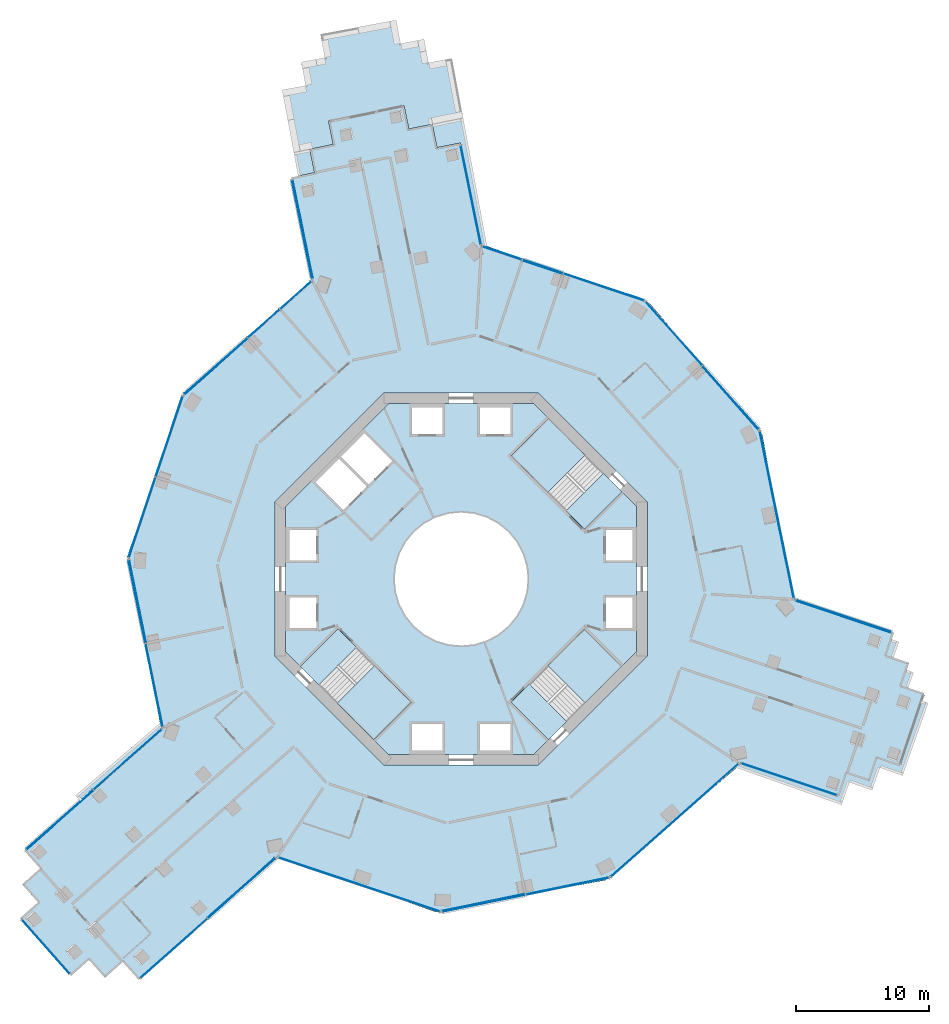
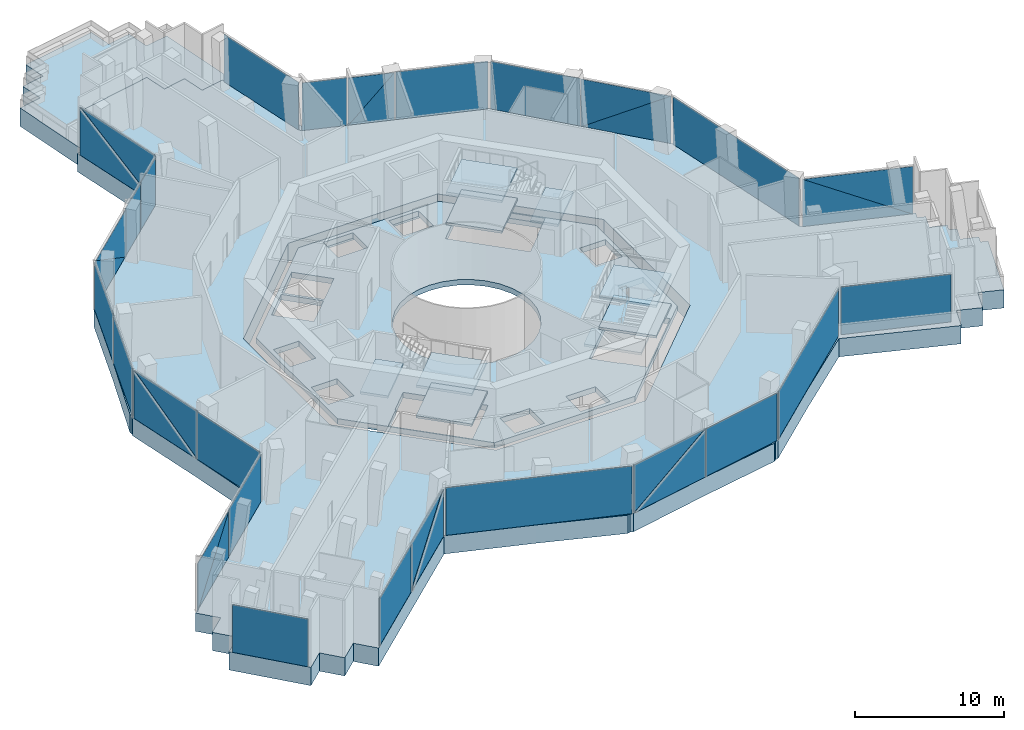
# One storey, part 8 of 20: 35 plates, 12 slabs, 19 elements without a shape of their own.
"""IFC4 building model written with IfcOpenShell, lengths in metres."""

from ifc_helpers import new_model, si_unit, direction, frame, origin, origin_2d, place, context, subcontext, project, spatial, polyline, rectangle, outline, extrude, material, layer, layer_set, type_object, element, aggregate, save


model = new_model("IFC4")

# Units and contexts
model_context = context("Model", 3, precision=1e-05, world=origin(), true_north=direction((0.0, 1.0)))
body_context = subcontext(model_context, "Body", "Model", "MODEL_VIEW")
ifc_project = project(units=[si_unit("LENGTHUNIT", "METRE"), si_unit("AREAUNIT", "SQUARE_METRE"), si_unit("VOLUMEUNIT", "CUBIC_METRE"), si_unit("PLANEANGLEUNIT", "RADIAN"), si_unit("MASSUNIT", "GRAM", prefix="KILO")], contexts=[model_context])

# Site, building, storey
site_placement = place(None, origin())
site = spatial("IfcSite", under=ifc_project, at=site_placement, CompositionType="ELEMENT")
building_placement = place(site_placement, origin())
building = spatial("IfcBuilding", under=site, at=building_placement, Name="Verdalira Terraces Hotel", CompositionType="ELEMENT")
storey_placement = place(building_placement, frame((0.0, 0.0, 81.0)))
storey = spatial("IfcBuildingStorey", under=building, at=storey_placement, Name="L18", CompositionType="ELEMENT", Elevation=81.0)

# Curtain wall, plate
ifc_material_1 = material(Name="Clear glass", Category="glass")
ifc_layer_1 = layer(ifc_material_1, 0.239990234375)
ifc_layer_set_1 = layer_set([ifc_layer_1], Name="CW5 curtain wall")
curtain_wall_type = type_object("IfcCurtainWallType", Name="CW5 curtain wall", PredefinedType="NOTDEFINED", material=ifc_layer_set_1)
curtain_wall_1_placement = place(storey_placement, origin())
curtain_wall_1 = element("IfcCurtainWall", 1, at=curtain_wall_1_placement, inside=storey, type_object=curtain_wall_type, Name="CW5 curtain wall L18 edge 0", PredefinedType="NOTDEFINED")
ifc_material_2 = material(Name="Clear glass", Category="glass")
ifc_layer_2 = layer(ifc_material_2, 0.0439453125)
ifc_layer_set_2 = layer_set([ifc_layer_2], Name="CW5 glass unit 44")
plate_type = type_object("IfcPlateType", Name="CW5 glass unit 44", PredefinedType="CURTAIN_PANEL", material=ifc_layer_set_2)
plate_1_placement = place(storey_placement, frame((0.716797, 28.880127, 0.0), z_axis=(0.0, 0.0, 1.0), x_axis=(-0.199709981, 0.979855052, 0.0)))
plate_1 = element("IfcPlate", 2, at=plate_1_placement, type_object=plate_type, Name="CW5 glass unit", PredefinedType="CURTAIN_PANEL", context=body_context, shape_type="SweptSolid", body=[
    extrude(rectangle(XDim=7.549805, YDim=0.043945, at=origin_2d()), origin(), (0.0, 0.0, 1.0), 3.915039),
])
aggregate(curtain_wall_1, [plate_1])

# Curtain wall, plates
curtain_wall_2_placement = place(storey_placement, origin())
curtain_wall_2 = element("IfcCurtainWall", 3, at=curtain_wall_2_placement, inside=storey, type_object=curtain_wall_type, Name="CW5 curtain wall L18 edge 10", PredefinedType="NOTDEFINED")
plate_2_placement = place(storey_placement, frame((-11.941162, 26.300293, 1.95752), z_axis=(-0.979855052, -0.199709981, 0.0), x_axis=(0.199709981, -0.979855052, 0.0)))
plate_2 = element("IfcPlate", 4, at=plate_2_placement, type_object=plate_type, Name="CW5 glass unit", PredefinedType="CURTAIN_PANEL", context=body_context, shape_type="SweptSolid", body=[
    extrude(outline(polyline([(-3.774902, -1.95752), (3.774902, -1.95752), (-3.774902, 1.95752), (-3.774902, -1.95752)])), origin(), (0.0, 0.0, 1.0), 0.043945),
])
plate_3_placement = place(storey_placement, frame((-11.897217, 26.309326, 1.95752), z_axis=(-0.979855052, -0.199709981, 0.0), x_axis=(0.199709981, -0.979855052, 0.0)))
plate_3 = element("IfcPlate", 5, at=plate_3_placement, type_object=plate_type, Name="CW5 glass unit", PredefinedType="CURTAIN_PANEL", context=body_context, shape_type="SweptSolid", body=[
    extrude(outline(polyline([(3.774902, -1.95752), (3.774902, 1.95752), (-3.774902, 1.95752), (3.774902, -1.95752)])), origin(), (0.0, 0.0, 1.0), 0.043945),
])
aggregate(curtain_wall_2, [plate_2, plate_3])

curtain_wall_3_placement = place(storey_placement, origin())
curtain_wall_3 = element("IfcCurtainWall", 6, at=curtain_wall_3_placement, inside=storey, type_object=curtain_wall_type, Name="CW5 curtain wall L18 edge 11", PredefinedType="NOTDEFINED")
plate_4_placement = place(storey_placement, frame((-12.443115, 21.343018, 0.0), z_axis=(0.0, 0.0, 1.0), x_axis=(-0.748724377, -0.662881443, 0.0)))
plate_4 = element("IfcPlate", 7, at=plate_4_placement, type_object=plate_type, Name="CW5 glass unit", PredefinedType="CURTAIN_PANEL", context=body_context, shape_type="SweptSolid", body=[
    extrude(rectangle(XDim=3.093018, YDim=0.043945, at=origin_2d()), origin(), (0.0, 0.0, 1.0), 3.915039),
])
plate_5_placement = place(storey_placement, frame((-14.84375, 19.217529, 0.0), z_axis=(0.0, 0.0, 1.0), x_axis=(-0.748724377, -0.662881443, 0.0)))
plate_5 = element("IfcPlate", 8, at=plate_5_placement, type_object=plate_type, Name="CW5 glass unit", PredefinedType="CURTAIN_PANEL", context=body_context, shape_type="SweptSolid", body=[
    extrude(rectangle(XDim=3.179932, YDim=0.043945, at=origin_2d()), origin(), (0.0, 0.0, 1.0), 3.915039),
])
plate_6_placement = place(storey_placement, frame((-18.451172, 15.994629, 1.95752), z_axis=(-0.662881443, 0.748724377, 0.0), x_axis=(-0.748724377, -0.662881443, 0.0)))
plate_6 = element("IfcPlate", 9, at=plate_6_placement, type_object=plate_type, Name="CW5 glass unit", PredefinedType="CURTAIN_PANEL", context=body_context, shape_type="SweptSolid", body=[
    extrude(outline(polyline([(-3.177246, -1.95752), (3.177246, -1.95752), (3.177246, 1.95752), (-3.177246, -1.95752)])), origin(), (0.0, 0.0, 1.0), 0.043945),
])
plate_7_placement = place(storey_placement, frame((-18.421387, 15.960938, 1.95752), z_axis=(-0.662881443, 0.748724377, 0.0), x_axis=(-0.748724377, -0.662881443, 0.0)))
plate_7 = element("IfcPlate", 10, at=plate_7_placement, type_object=plate_type, Name="CW5 glass unit", PredefinedType="CURTAIN_PANEL", context=body_context, shape_type="SweptSolid", body=[
    extrude(outline(polyline([(-3.177246, -1.95752), (3.177246, 1.95752), (-3.177246, 1.95752), (-3.177246, -1.95752)])), origin(), (0.0, 0.0, 1.0), 0.043945),
])
aggregate(curtain_wall_3, [plate_4, plate_5, plate_6, plate_7])

curtain_wall_4_placement = place(storey_placement, origin())
curtain_wall_4 = element("IfcCurtainWall", 11, at=curtain_wall_4_placement, inside=storey, type_object=curtain_wall_type, Name="CW5 curtain wall L18 edge 12", PredefinedType="NOTDEFINED")
plate_8_placement = place(storey_placement, frame((-21.960693, 10.726562, 0.0), z_axis=(0.0, 0.0, 1.0), x_axis=(-0.31697361, -0.948434358, 0.0)))
plate_8 = element("IfcPlate", 12, at=plate_8_placement, type_object=plate_type, Name="CW5 glass unit", PredefinedType="CURTAIN_PANEL", context=body_context, shape_type="SweptSolid", body=[
    extrude(rectangle(XDim=6.354736, YDim=0.043945, at=origin_2d()), origin(), (0.0, 0.0, 1.0), 3.915039),
])
plate_9_placement = place(storey_placement, frame((-23.997314, 4.633057, 0.0), z_axis=(0.0, 0.0, 1.0), x_axis=(-0.31697361, -0.948434358, 0.0)))
plate_9 = element("IfcPlate", 13, at=plate_9_placement, type_object=plate_type, Name="CW5 glass unit", PredefinedType="CURTAIN_PANEL", context=body_context, shape_type="SweptSolid", body=[
    extrude(rectangle(XDim=6.354736, YDim=0.043945, at=origin_2d()), origin(), (0.0, 0.0, 1.0), 3.915039),
])
aggregate(curtain_wall_4, [plate_8, plate_9])

curtain_wall_5_placement = place(storey_placement, origin())
curtain_wall_5 = element("IfcCurtainWall", 14, at=curtain_wall_5_placement, inside=storey, type_object=curtain_wall_type, Name="CW5 curtain wall L18 edge 13", PredefinedType="NOTDEFINED")
plate_10_placement = place(storey_placement, frame((-24.360352, -1.686523, 1.95752), z_axis=(-0.979855052, -0.199709981, 0.0), x_axis=(0.199709981, -0.979855052, 0.0)))
plate_10 = element("IfcPlate", 15, at=plate_10_placement, type_object=plate_type, Name="CW5 glass unit", PredefinedType="CURTAIN_PANEL", context=body_context, shape_type="SweptSolid", body=[
    extrude(outline(polyline([(-3.177246, -1.95752), (3.177246, -1.95752), (-3.177246, 1.95752), (-3.177246, -1.95752)])), origin(), (0.0, 0.0, 1.0), 0.043945),
])
plate_11_placement = place(storey_placement, frame((-24.316406, -1.67749, 1.95752), z_axis=(-0.979855052, -0.199709981, 0.0), x_axis=(0.199709981, -0.979855052, 0.0)))
plate_11 = element("IfcPlate", 16, at=plate_11_placement, type_object=plate_type, Name="CW5 glass unit", PredefinedType="CURTAIN_PANEL", context=body_context, shape_type="SweptSolid", body=[
    extrude(outline(polyline([(3.177246, -1.95752), (3.177246, 1.95752), (-3.177246, 1.95752), (3.177246, -1.95752)])), origin(), (0.0, 0.0, 1.0), 0.043945),
])
plate_12_placement = place(storey_placement, frame((-23.099854, -7.980469, 0.0), z_axis=(0.0, 0.0, 1.0), x_axis=(0.199709981, -0.979855052, 0.0)))
plate_12 = element("IfcPlate", 17, at=plate_12_placement, type_object=plate_type, Name="CW5 glass unit", PredefinedType="CURTAIN_PANEL", context=body_context, shape_type="SweptSolid", body=[
    extrude(rectangle(XDim=6.343018, YDim=0.043945, at=origin_2d()), origin(), (0.0, 0.0, 1.0), 3.915039),
])
aggregate(curtain_wall_5, [plate_10, plate_11, plate_12])

curtain_wall_6_placement = place(storey_placement, origin())
curtain_wall_6 = element("IfcCurtainWall", 18, at=curtain_wall_6_placement, inside=storey, type_object=curtain_wall_type, Name="CW5 curtain wall L18 edge 14", PredefinedType="NOTDEFINED")
plate_13_placement = place(storey_placement, frame((-25.084473, -13.567139, 0.0), z_axis=(0.0, 0.0, 1.0), x_axis=(-0.748724377, -0.662881443, 0.0)))
plate_13 = element("IfcPlate", 19, at=plate_13_placement, type_object=plate_type, Name="CW5 glass unit", PredefinedType="CURTAIN_PANEL", context=body_context, shape_type="SweptSolid", body=[
    extrude(rectangle(XDim=6.788818, YDim=0.043945, at=origin_2d()), origin(), (0.0, 0.0, 1.0), 3.915039),
])
plate_14_placement = place(storey_placement, frame((-30.168457, -18.097656, 1.95752), z_axis=(-0.662881443, 0.748724377, 0.0), x_axis=(-0.748724377, -0.662881443, 0.0)))
plate_14 = element("IfcPlate", 20, at=plate_14_placement, type_object=plate_type, Name="CW5 glass unit", PredefinedType="CURTAIN_PANEL", context=body_context, shape_type="SweptSolid", body=[
    extrude(outline(polyline([(-3.345459, -1.95752), (3.345459, -1.95752), (-3.345459, 1.95752), (-3.345459, -1.95752)])), origin(), (0.0, 0.0, 1.0), 0.043945),
])
plate_15_placement = place(storey_placement, frame((-30.138672, -18.131348, 1.95752), z_axis=(-0.662881443, 0.748724377, 0.0), x_axis=(-0.748724377, -0.662881443, 0.0)))
plate_15 = element("IfcPlate", 21, at=plate_15_placement, type_object=plate_type, Name="CW5 glass unit", PredefinedType="CURTAIN_PANEL", context=body_context, shape_type="SweptSolid", body=[
    extrude(outline(polyline([(3.345459, -1.95752), (3.345459, 1.95752), (-3.345459, 1.95752), (3.345459, -1.95752)])), origin(), (0.0, 0.0, 1.0), 0.043945),
])
aggregate(curtain_wall_6, [plate_13, plate_14, plate_15])

# Curtain wall, plate
curtain_wall_7_placement = place(storey_placement, origin())
curtain_wall_7 = element("IfcCurtainWall", 22, at=curtain_wall_7_placement, inside=storey, type_object=curtain_wall_type, Name="CW5 curtain wall L18 edge 19", PredefinedType="NOTDEFINED")
plate_16_placement = place(storey_placement, frame((-31.236816, -27.655518, 0.0), z_axis=(0.0, 0.0, 1.0), x_axis=(0.662881443, -0.748724377, 0.0)))
plate_16 = element("IfcPlate", 23, at=plate_16_placement, type_object=plate_type, Name="CW5 glass unit", PredefinedType="CURTAIN_PANEL", context=body_context, shape_type="SweptSolid", body=[
    extrude(rectangle(XDim=5.360107, YDim=0.043945, at=origin_2d()), origin(), (0.0, 0.0, 1.0), 3.915039),
])
aggregate(curtain_wall_7, [plate_16])

# Curtain wall, plates
curtain_wall_8_placement = place(storey_placement, origin())
curtain_wall_8 = element("IfcCurtainWall", 24, at=curtain_wall_8_placement, inside=storey, type_object=curtain_wall_type, Name="CW5 curtain wall L18 edge 24", PredefinedType="NOTDEFINED")
plate_17_placement = place(storey_placement, frame((-21.605469, -27.769775, 0.0), z_axis=(0.0, 0.0, 1.0), x_axis=(0.748724377, 0.662881443, 0.0)))
plate_17 = element("IfcPlate", 25, at=plate_17_placement, type_object=plate_type, Name="CW5 glass unit", PredefinedType="CURTAIN_PANEL", context=body_context, shape_type="SweptSolid", body=[
    extrude(rectangle(XDim=6.690918, YDim=0.043945, at=origin_2d()), origin(), (0.0, 0.0, 1.0), 3.915039),
])
plate_18_placement = place(storey_placement, frame((-16.521484, -23.239258, 1.95752), z_axis=(0.662881443, -0.748724377, 0.0), x_axis=(0.748724377, 0.662881443, 0.0)))
plate_18 = element("IfcPlate", 26, at=plate_18_placement, type_object=plate_type, Name="CW5 glass unit", PredefinedType="CURTAIN_PANEL", context=body_context, shape_type="SweptSolid", body=[
    extrude(outline(polyline([(-3.394531, -1.95752), (3.394531, -1.95752), (3.394531, 1.95752), (-3.394531, -1.95752)])), origin(), (0.0, 0.0, 1.0), 0.043945),
])
plate_19_placement = place(storey_placement, frame((-16.55127, -23.205566, 1.95752), z_axis=(0.662881443, -0.748724377, 0.0), x_axis=(0.748724377, 0.662881443, 0.0)))
plate_19 = element("IfcPlate", 27, at=plate_19_placement, type_object=plate_type, Name="CW5 glass unit", PredefinedType="CURTAIN_PANEL", context=body_context, shape_type="SweptSolid", body=[
    extrude(outline(polyline([(-3.394531, -1.95752), (3.394531, 1.95752), (-3.394531, 1.95752), (-3.394531, -1.95752)])), origin(), (0.0, 0.0, 1.0), 0.043945),
])
aggregate(curtain_wall_8, [plate_17, plate_18, plate_19])

# Curtain wall, plate
curtain_wall_9_placement = place(storey_placement, origin())
curtain_wall_9 = element("IfcCurtainWall", 28, at=curtain_wall_9_placement, inside=storey, type_object=curtain_wall_type, Name="CW5 curtain wall L18 edge 25", PredefinedType="NOTDEFINED")
plate_20_placement = place(storey_placement, frame((-7.674072, -22.980957, 0.0), z_axis=(0.0, 0.0, 1.0), x_axis=(0.948434358, -0.31697361, 0.0)))
plate_20 = element("IfcPlate", 29, at=plate_20_placement, type_object=plate_type, Name="CW5 glass unit", PredefinedType="CURTAIN_PANEL", context=body_context, shape_type="SweptSolid", body=[
    extrude(rectangle(XDim=12.767822, YDim=0.043945, at=origin_2d()), origin(), (0.0, 0.0, 1.0), 3.915039),
])
aggregate(curtain_wall_9, [plate_20])

# Curtain wall, plates
curtain_wall_10_placement = place(storey_placement, origin())
curtain_wall_10 = element("IfcCurtainWall", 30, at=curtain_wall_10_placement, inside=storey, type_object=curtain_wall_type, Name="CW5 curtain wall L18 edge 26", PredefinedType="NOTDEFINED")
plate_21_placement = place(storey_placement, frame((1.686523, -24.360352, 1.95752), z_axis=(0.199709981, -0.979855052, 0.0), x_axis=(0.979855052, 0.199709981, 0.0)))
plate_21 = element("IfcPlate", 31, at=plate_21_placement, type_object=plate_type, Name="CW5 glass unit", PredefinedType="CURTAIN_PANEL", context=body_context, shape_type="SweptSolid", body=[
    extrude(outline(polyline([(-3.177246, -1.95752), (3.177246, -1.95752), (3.177246, 1.95752), (-3.177246, -1.95752)])), origin(), (0.0, 0.0, 1.0), 0.043945),
])
plate_22_placement = place(storey_placement, frame((1.67749, -24.316406, 1.95752), z_axis=(0.199709981, -0.979855052, 0.0), x_axis=(0.979855052, 0.199709981, 0.0)))
plate_22 = element("IfcPlate", 32, at=plate_22_placement, type_object=plate_type, Name="CW5 glass unit", PredefinedType="CURTAIN_PANEL", context=body_context, shape_type="SweptSolid", body=[
    extrude(outline(polyline([(-3.177246, -1.95752), (3.177246, 1.95752), (-3.177246, 1.95752), (-3.177246, -1.95752)])), origin(), (0.0, 0.0, 1.0), 0.043945),
])
plate_23_placement = place(storey_placement, frame((7.986328, -23.098633, 0.0), z_axis=(0.0, 0.0, 1.0), x_axis=(0.979855052, 0.199709981, 0.0)))
plate_23 = element("IfcPlate", 33, at=plate_23_placement, type_object=plate_type, Name="CW5 glass unit", PredefinedType="CURTAIN_PANEL", context=body_context, shape_type="SweptSolid", body=[
    extrude(rectangle(XDim=6.354736, YDim=0.043945, at=origin_2d()), origin(), (0.0, 0.0, 1.0), 3.915039),
])
aggregate(curtain_wall_10, [plate_21, plate_22, plate_23])

# Curtain wall, plate
curtain_wall_11_placement = place(storey_placement, origin())
curtain_wall_11 = element("IfcCurtainWall", 34, at=curtain_wall_11_placement, inside=storey, type_object=curtain_wall_type, Name="CW5 curtain wall L18 edge 27", PredefinedType="NOTDEFINED")
plate_24_placement = place(storey_placement, frame((16.056152, -18.144287, 0.0), z_axis=(0.0, 0.0, 1.0), x_axis=(0.748724377, 0.662881443, 0.0)))
plate_24 = element("IfcPlate", 35, at=plate_24_placement, type_object=plate_type, Name="CW5 glass unit", PredefinedType="CURTAIN_PANEL", context=body_context, shape_type="SweptSolid", body=[
    extrude(rectangle(XDim=12.767822, YDim=0.043945, at=origin_2d()), origin(), (0.0, 0.0, 1.0), 3.915039),
])
aggregate(curtain_wall_11, [plate_24])

curtain_wall_12_placement = place(storey_placement, origin())
curtain_wall_12 = element("IfcCurtainWall", 36, at=curtain_wall_12_placement, inside=storey, type_object=curtain_wall_type, Name="CW5 curtain wall L18 edge 28", PredefinedType="NOTDEFINED")
plate_25_placement = place(storey_placement, frame((24.652588, -15.060791, 0.0), z_axis=(0.0, 0.0, 1.0), x_axis=(0.948434358, -0.31697361, 0.0)))
plate_25 = element("IfcPlate", 37, at=plate_25_placement, type_object=plate_type, Name="CW5 glass unit", PredefinedType="CURTAIN_PANEL", context=body_context, shape_type="SweptSolid", body=[
    extrude(rectangle(XDim=7.549805, YDim=0.043945, at=origin_2d()), origin(), (0.0, 0.0, 1.0), 3.915039),
])
aggregate(curtain_wall_12, [plate_25])

# Curtain wall, plates
curtain_wall_13_placement = place(storey_placement, origin())
curtain_wall_13 = element("IfcCurtainWall", 38, at=curtain_wall_13_placement, inside=storey, type_object=curtain_wall_type, Name="CW5 curtain wall L18 edge 38", PredefinedType="NOTDEFINED")
plate_26_placement = place(storey_placement, frame((28.74707, -2.808838, 1.95752), z_axis=(0.31697361, 0.948434358, 0.0), x_axis=(-0.948434358, 0.31697361, 0.0)))
plate_26 = element("IfcPlate", 39, at=plate_26_placement, type_object=plate_type, Name="CW5 glass unit", PredefinedType="CURTAIN_PANEL", context=body_context, shape_type="SweptSolid", body=[
    extrude(outline(polyline([(-3.774902, -1.95752), (3.774902, -1.95752), (3.774902, 1.95752), (-3.774902, -1.95752)])), origin(), (0.0, 0.0, 1.0), 0.043945),
])
plate_27_placement = place(storey_placement, frame((28.73291, -2.851562, 1.95752), z_axis=(0.31697361, 0.948434358, 0.0), x_axis=(-0.948434358, 0.31697361, 0.0)))
plate_27 = element("IfcPlate", 40, at=plate_27_placement, type_object=plate_type, Name="CW5 glass unit", PredefinedType="CURTAIN_PANEL", context=body_context, shape_type="SweptSolid", body=[
    extrude(outline(polyline([(-3.774902, -1.95752), (3.774902, 1.95752), (-3.774902, 1.95752), (-3.774902, -1.95752)])), origin(), (0.0, 0.0, 1.0), 0.043945),
])
aggregate(curtain_wall_13, [plate_26, plate_27])

# Curtain wall, plate
curtain_wall_14_placement = place(storey_placement, origin())
curtain_wall_14 = element("IfcCurtainWall", 41, at=curtain_wall_14_placement, inside=storey, type_object=curtain_wall_type, Name="CW5 curtain wall L18 edge 39", PredefinedType="NOTDEFINED")
plate_28_placement = place(storey_placement, frame((23.739014, 4.844482, 0.0), z_axis=(0.0, 0.0, 1.0), x_axis=(-0.199709981, 0.979855052, 0.0)))
plate_28 = element("IfcPlate", 42, at=plate_28_placement, type_object=plate_type, Name="CW5 glass unit", PredefinedType="CURTAIN_PANEL", context=body_context, shape_type="SweptSolid", body=[
    extrude(rectangle(XDim=12.767822, YDim=0.043945, at=origin_2d()), origin(), (0.0, 0.0, 1.0), 3.915039),
])
aggregate(curtain_wall_14, [plate_28])

# Curtain wall, plates
curtain_wall_15_placement = place(storey_placement, origin())
curtain_wall_15 = element("IfcCurtainWall", 43, at=curtain_wall_15_placement, inside=storey, type_object=curtain_wall_type, Name="CW5 curtain wall L18 edge 40", PredefinedType="NOTDEFINED")
plate_29_placement = place(storey_placement, frame((20.253418, 13.640625, 1.95752), z_axis=(0.748724377, 0.662881443, 0.0), x_axis=(-0.662881443, 0.748724377, 0.0)))
plate_29 = element("IfcPlate", 44, at=plate_29_placement, type_object=plate_type, Name="CW5 glass unit", PredefinedType="CURTAIN_PANEL", context=body_context, shape_type="SweptSolid", body=[
    extrude(outline(polyline([(-3.177246, -1.95752), (3.177246, -1.95752), (-3.177246, 1.95752), (-3.177246, -1.95752)])), origin(), (0.0, 0.0, 1.0), 0.043945),
])
plate_30_placement = place(storey_placement, frame((20.219727, 13.61084, 1.95752), z_axis=(0.748724377, 0.662881443, 0.0), x_axis=(-0.662881443, 0.748724377, 0.0)))
plate_30 = element("IfcPlate", 45, at=plate_30_placement, type_object=plate_type, Name="CW5 glass unit", PredefinedType="CURTAIN_PANEL", context=body_context, shape_type="SweptSolid", body=[
    extrude(outline(polyline([(3.177246, -1.95752), (3.177246, 1.95752), (-3.177246, 1.95752), (3.177246, -1.95752)])), origin(), (0.0, 0.0, 1.0), 0.043945),
])
plate_31_placement = place(storey_placement, frame((16.010986, 18.46582, 0.0), z_axis=(0.0, 0.0, 1.0), x_axis=(-0.662881443, 0.748724377, 0.0)))
plate_31 = element("IfcPlate", 46, at=plate_31_placement, type_object=plate_type, Name="CW5 glass unit", PredefinedType="CURTAIN_PANEL", context=body_context, shape_type="SweptSolid", body=[
    extrude(rectangle(XDim=6.354736, YDim=0.043945, at=origin_2d()), origin(), (0.0, 0.0, 1.0), 3.915039),
])
aggregate(curtain_wall_15, [plate_29, plate_30, plate_31])

curtain_wall_16_placement = place(storey_placement, origin())
curtain_wall_16 = element("IfcCurtainWall", 47, at=curtain_wall_16_placement, inside=storey, type_object=curtain_wall_type, Name="CW5 curtain wall L18 edge 41", PredefinedType="NOTDEFINED")
plate_32_placement = place(storey_placement, frame((10.726562, 21.960693, 0.0), z_axis=(0.0, 0.0, 1.0), x_axis=(-0.948434358, 0.31697361, 0.0)))
plate_32 = element("IfcPlate", 48, at=plate_32_placement, type_object=plate_type, Name="CW5 glass unit", PredefinedType="CURTAIN_PANEL", context=body_context, shape_type="SweptSolid", body=[
    extrude(rectangle(XDim=6.354736, YDim=0.043945, at=origin_2d()), origin(), (0.0, 0.0, 1.0), 3.915039),
])
plate_33_placement = place(storey_placement, frame((6.131348, 23.473389, 1.95752), z_axis=(0.31697361, 0.948434358, 0.0), x_axis=(-0.948434358, 0.31697361, 0.0)))
plate_33 = element("IfcPlate", 49, at=plate_33_placement, type_object=plate_type, Name="CW5 glass unit", PredefinedType="CURTAIN_PANEL", context=body_context, shape_type="SweptSolid", body=[
    extrude(outline(polyline([(-1.589844, -1.95752), (1.589844, -1.95752), (-1.589844, 1.95752), (-1.589844, -1.95752)])), origin(), (0.0, 0.0, 1.0), 0.043945),
])
plate_34_placement = place(storey_placement, frame((6.117188, 23.430664, 1.95752), z_axis=(0.31697361, 0.948434358, 0.0), x_axis=(-0.948434358, 0.31697361, 0.0)))
plate_34 = element("IfcPlate", 50, at=plate_34_placement, type_object=plate_type, Name="CW5 glass unit", PredefinedType="CURTAIN_PANEL", context=body_context, shape_type="SweptSolid", body=[
    extrude(outline(polyline([(1.589844, -1.95752), (1.589844, 1.95752), (-1.589844, 1.95752), (1.589844, -1.95752)])), origin(), (0.0, 0.0, 1.0), 0.043945),
])
plate_35_placement = place(storey_placement, frame((3.097412, 24.510498, 0.0), z_axis=(0.0, 0.0, 1.0), x_axis=(-0.948434358, 0.31697361, 0.0)))
plate_35 = element("IfcPlate", 51, at=plate_35_placement, type_object=plate_type, Name="CW5 glass unit", PredefinedType="CURTAIN_PANEL", context=body_context, shape_type="SweptSolid", body=[
    extrude(rectangle(XDim=3.093018, YDim=0.043945, at=origin_2d()), origin(), (0.0, 0.0, 1.0), 3.915039),
])
aggregate(curtain_wall_16, [plate_32, plate_33, plate_34, plate_35])

# Slab
ifc_material_3 = material(Name="Concrete C40", Category="concrete")
ifc_layer_3 = layer(ifc_material_3, 0.449951171875)
ifc_layer_set_3 = layer_set([ifc_layer_3], Name="Core floor slab 450 mm")
slab_type_1 = type_object("IfcSlabType", Name="Core floor slab 450 mm", PredefinedType="FLOOR", material=ifc_layer_set_3)
slab_1_placement = place(storey_placement, frame((0.0, 0.0, -0.449951)))
element("IfcSlab", 52, at=slab_1_placement, inside=storey, type_object=slab_type_1, Name="L18 core floor", PredefinedType="FLOOR", context=body_context, shape_type="SweptSolid", body=[
    extrude(outline(polyline([(-5.467529, 13.199951), (5.467529, 13.199951), (13.199951, 5.467529), (13.199951, -5.467529), (5.467529, -13.199951), (-5.467529, -13.199951), (-13.199951, -5.467529), (-13.199951, 5.467529), (-5.467529, 13.199951)]), holes=[polyline([(12.899902, -3.699951), (12.899902, -1.399902), (10.899902, -1.399902), (10.899902, -3.699951), (12.899902, -3.699951)]), polyline([(12.899902, 1.399902), (12.899902, 3.699951), (10.899902, 3.699951), (10.899902, 1.399902), (12.899902, 1.399902)]), polyline([(1.399902, 10.899902), (3.699951, 10.899902), (3.699951, 12.899902), (1.399902, 12.899902), (1.399902, 10.899902)]), polyline([(-3.699951, 10.899902), (-1.399902, 10.899902), (-1.399902, 12.899902), (-3.699951, 12.899902), (-3.699951, 10.899902)]), polyline([(-12.899902, 3.699951), (-12.899902, 1.399902), (-10.899902, 1.399902), (-10.899902, 3.699951), (-12.899902, 3.699951)]), polyline([(-12.899902, -1.399902), (-12.899902, -3.699951), (-10.899902, -3.699951), (-10.899902, -1.399902), (-12.899902, -1.399902)]), polyline([(-1.399902, -10.899902), (-3.699951, -10.899902), (-3.699951, -12.899902), (-1.399902, -12.899902), (-1.399902, -10.899902)]), polyline([(3.699951, -10.899902), (1.399902, -10.899902), (1.399902, -12.899902), (3.699951, -12.899902), (3.699951, -10.899902)]), polyline([(-9.051025, 9.192383), (-6.965088, 7.106445), (-5.197266, 8.874268), (-7.283203, 10.960205), (-9.051025, 9.192383)]), polyline([(-9.192383, 9.051025), (-10.960205, 7.283203), (-8.874268, 5.197266), (-7.106445, 6.965088), (-9.192383, 9.051025)]), polyline([(3.5354, 3.5354), (2.777832, 4.157227), (1.91333, 4.619385), (0.975586, 4.903809), (0.0, 5.0), (-0.975586, 4.903809), (-1.91333, 4.619385), (-2.777832, 4.157227), (-3.5354, 3.5354), (-4.157227, 2.777832), (-4.619385, 1.91333), (-4.903809, 0.975586), (-5.0, 0.0), (-4.903809, -0.975586), (-4.619385, -1.91333), (-4.157227, -2.777832), (-3.5354, -3.5354), (-2.777832, -4.157227), (-1.91333, -4.619385), (-0.975586, -4.903809), (0.0, -5.0), (0.975586, -4.903809), (1.91333, -4.619385), (2.777832, -4.157227), (3.5354, -3.5354), (4.157227, -2.777832), (4.619385, -1.91333), (4.903809, -0.975586), (5.0, 0.0), (4.903809, 0.975586), (4.619385, 1.91333), (4.157227, 2.777832), (3.5354, 3.5354)]), polyline([(6.505371, 12.049072), (5.105225, 10.648926), (3.648682, 9.192383), (7.834473, 5.006592), (9.298096, 6.470459), (9.262695, 6.505615), (10.655762, 7.898682), (6.505371, 12.049072)]), polyline([(-3.648682, -9.192383), (-7.834473, -5.006592), (-9.298096, -6.470459), (-9.262695, -6.505615), (-10.655762, -7.898682), (-6.505371, -12.049072), (-5.105225, -10.648926), (-3.648682, -9.192383)]), polyline([(10.648926, -5.105225), (9.192383, -3.648682), (5.006592, -7.834473), (6.470459, -9.298096), (6.505615, -9.262695), (7.898682, -10.655762), (12.049072, -6.505371), (10.648926, -5.105225)])]), origin(), (0.0, 0.0, 1.0), 0.449951),
])

# Stair, slabs
ifc_material_4 = material(Name="Concrete C40", Category="concrete")
stair_type = type_object("IfcStairType", Name="Core stair 32 risers 1950 mm wide", PredefinedType="HALF_TURN_STAIR", material=ifc_material_4)
stair_1_placement = place(storey_placement, origin())
stair_1 = element("IfcStair", 53, at=stair_1_placement, inside=storey, type_object=stair_type, Name="L18 Exit stair ST1", PredefinedType="HALF_TURN_STAIR")
ifc_material_5 = material(Name="Concrete C40", Category="concrete")
ifc_layer_4 = layer(ifc_material_5, 0.199951171875)
ifc_layer_set_4 = layer_set([ifc_layer_4], Name="Core stair landing 200 mm")
slab_type_2 = type_object("IfcSlabType", Name="Core stair landing 200 mm", PredefinedType="LANDING", material=ifc_layer_set_4)
slab_2_placement = place(storey_placement, frame((0.0, 0.0, 1.050049)))
slab_2 = element("IfcSlab", 54, at=slab_2_placement, type_object=slab_type_2, Name="ST1 landing 1", PredefinedType="LANDING", context=body_context, shape_type="SweptSolid", body=[
    extrude(outline(polyline([(9.327148, 9.340576), (6.576172, 12.091553), (3.747559, 9.263184), (6.498779, 6.512207), (9.327148, 9.340576)])), origin(), (0.0, 0.0, 1.0), 0.199951),
])
slab_3_placement = place(storey_placement, frame((0.0, 0.0, 2.300049)))
slab_3 = element("IfcSlab", 55, at=slab_3_placement, type_object=slab_type_2, Name="ST1 landing 2", PredefinedType="LANDING", context=body_context, shape_type="SweptSolid", body=[
    extrude(outline(polyline([(12.091553, 6.576172), (10.712402, 7.955322), (7.883789, 5.126953), (9.263184, 3.747559), (12.091553, 6.576172)])), origin(), (0.0, 0.0, 1.0), 0.199951),
])
slab_4_placement = place(storey_placement, frame((0.0, 0.0, 3.550049)))
slab_4 = element("IfcSlab", 56, at=slab_4_placement, type_object=slab_type_2, Name="ST1 landing 3", PredefinedType="LANDING", context=body_context, shape_type="SweptSolid", body=[
    extrude(outline(polyline([(9.327148, 9.340576), (6.576172, 12.091553), (3.747559, 9.263184), (6.498779, 6.512207), (9.327148, 9.340576)])), origin(), (0.0, 0.0, 1.0), 0.199951),
])
aggregate(stair_1, [slab_2, slab_3, slab_4])

stair_2_placement = place(storey_placement, origin())
stair_2 = element("IfcStair", 57, at=stair_2_placement, inside=storey, type_object=stair_type, Name="L18 Exit stair ST2", PredefinedType="HALF_TURN_STAIR")
slab_5_placement = place(storey_placement, frame((0.0, 0.0, 1.050049)))
slab_5 = element("IfcSlab", 58, at=slab_5_placement, type_object=slab_type_2, Name="ST2 landing 1", PredefinedType="LANDING", context=body_context, shape_type="SweptSolid", body=[
    extrude(outline(polyline([(-9.327148, -9.340576), (-6.576172, -12.091553), (-3.747559, -9.263184), (-6.498779, -6.512207), (-9.327148, -9.340576)])), origin(), (0.0, 0.0, 1.0), 0.199951),
])
slab_6_placement = place(storey_placement, frame((0.0, 0.0, 2.300049)))
slab_6 = element("IfcSlab", 59, at=slab_6_placement, type_object=slab_type_2, Name="ST2 landing 2", PredefinedType="LANDING", context=body_context, shape_type="SweptSolid", body=[
    extrude(outline(polyline([(-12.091553, -6.576172), (-10.712402, -7.955322), (-7.883789, -5.126953), (-9.263184, -3.747559), (-12.091553, -6.576172)])), origin(), (0.0, 0.0, 1.0), 0.199951),
])
slab_7_placement = place(storey_placement, frame((0.0, 0.0, 3.550049)))
slab_7 = element("IfcSlab", 60, at=slab_7_placement, type_object=slab_type_2, Name="ST2 landing 3", PredefinedType="LANDING", context=body_context, shape_type="SweptSolid", body=[
    extrude(outline(polyline([(-9.327148, -9.340576), (-6.576172, -12.091553), (-3.747559, -9.263184), (-6.498779, -6.512207), (-9.327148, -9.340576)])), origin(), (0.0, 0.0, 1.0), 0.199951),
])
aggregate(stair_2, [slab_5, slab_6, slab_7])

stair_3_placement = place(storey_placement, origin())
stair_3 = element("IfcStair", 61, at=stair_3_placement, inside=storey, type_object=stair_type, Name="L18 Exit stair ST3", PredefinedType="HALF_TURN_STAIR")
slab_8_placement = place(storey_placement, frame((0.0, 0.0, 1.050049)))
slab_8 = element("IfcSlab", 62, at=slab_8_placement, type_object=slab_type_2, Name="ST3 landing 1", PredefinedType="LANDING", context=body_context, shape_type="SweptSolid", body=[
    extrude(outline(polyline([(9.340576, -9.327148), (12.091553, -6.576172), (9.263184, -3.747559), (6.512207, -6.498779), (9.340576, -9.327148)])), origin(), (0.0, 0.0, 1.0), 0.199951),
])
slab_9_placement = place(storey_placement, frame((0.0, 0.0, 2.300049)))
slab_9 = element("IfcSlab", 63, at=slab_9_placement, type_object=slab_type_2, Name="ST3 landing 2", PredefinedType="LANDING", context=body_context, shape_type="SweptSolid", body=[
    extrude(outline(polyline([(6.576172, -12.091553), (7.955322, -10.712402), (5.126953, -7.883789), (3.747559, -9.263184), (6.576172, -12.091553)])), origin(), (0.0, 0.0, 1.0), 0.199951),
])
slab_10_placement = place(storey_placement, frame((0.0, 0.0, 3.550049)))
slab_10 = element("IfcSlab", 64, at=slab_10_placement, type_object=slab_type_2, Name="ST3 landing 3", PredefinedType="LANDING", context=body_context, shape_type="SweptSolid", body=[
    extrude(outline(polyline([(9.340576, -9.327148), (12.091553, -6.576172), (9.263184, -3.747559), (6.512207, -6.498779), (9.340576, -9.327148)])), origin(), (0.0, 0.0, 1.0), 0.199951),
])
aggregate(stair_3, [slab_8, slab_9, slab_10])

# Slabs
ifc_material_6 = material(Name="Concrete C60", Category="concrete")
ifc_layer_5 = layer(ifc_material_6, 1.5)
ifc_layer_set_5 = layer_set([ifc_layer_5], Name="Sky garden floor deck 1500 C60")
slab_type_3 = type_object("IfcSlabType", Name="Sky garden floor deck 1500 C60", PredefinedType="FLOOR", material=ifc_layer_set_5)
slab_11_placement = place(storey_placement, frame((0.0, 0.0, -1.5)))
element("IfcSlab", 65, at=slab_11_placement, inside=storey, type_object=slab_type_3, Name="Sky garden deck L18", PredefinedType="FLOOR", context=body_context, shape_type="SweptSolid", body=[
    extrude(outline(polyline([(-13.468994, 36.782715), (-12.262695, 30.311523), (-11.025879, 30.563721), (-11.385498, 32.327393), (-9.621582, 32.687012), (-9.981201, 34.450684), (-4.298096, 35.608887), (-3.938721, 33.845215), (-2.174805, 34.20459), (-1.81543, 32.440918), (-0.051514, 32.800537), (1.524414, 25.067871), (7.88208, 22.943115), (1.944092, 25.038818), (-0.689209, 39.165283), (-2.45874, 38.835449), (-2.788818, 40.60498), (-4.558105, 40.274902), (-4.888184, 42.044434), (-10.589844, 40.981689), (-10.26001, 39.212158), (-12.029541, 38.88208), (-11.699707, 37.112793), (-13.468994, 36.782715)])), origin(), (0.0, 0.0, 1.0), 1.5),
])
ifc_material_7 = material(Name="Concrete C60", Category="concrete")
ifc_layer_6 = layer(ifc_material_7, 1.5)
ifc_layer_set_6 = layer_set([ifc_layer_6], Name="Transfer slab 1500 C60")
slab_type_4 = type_object("IfcSlabType", Name="Transfer slab 1500 C60", PredefinedType="FLOOR", material=ifc_layer_set_6)
slab_12_placement = place(storey_placement, frame((0.0, 0.0, -1.5)))
element("IfcSlab", 66, at=slab_12_placement, inside=storey, type_object=slab_type_4, Name="Transfer slab TS-18", PredefinedType="FLOOR", context=body_context, shape_type="SweptSolid", body=[
    extrude(outline(polyline([(-12.263184, 30.311523), (-12.789795, 30.204102), (-11.213623, 22.471436), (-15.928223, 18.297607), (-20.711914, 14.203125), (-20.784424, 13.998047), (-20.947021, 13.854004), (-22.943115, 7.88208), (-25.038818, 1.944092), (-24.998779, 1.730713), (-25.067871, 1.524414), (-23.810303, -4.645508), (-22.65625, -10.835693), (-29.015137, -16.278076), (-28.660156, -16.692871), (-32.872559, -20.422119), (-31.679443, -21.77002), (-33.0271, -22.963135), (-31.833984, -24.310791), (-33.181641, -25.503906), (-29.336914, -29.84668), (-27.989258, -28.65332), (-26.795898, -30.001221), (-25.448242, -28.807861), (-24.255127, -30.155518), (-13.854004, -20.947021), (-7.88208, -22.943115), (-1.944092, -25.038818), (-1.730713, -24.998779), (-1.524414, -25.067871), (4.645508, -23.810303), (10.835693, -22.65625), (11.000732, -22.514893), (11.213623, -22.471436), (15.928223, -18.297607), (20.711914, -14.203125), (28.604736, -16.98877), (29.203857, -15.291504), (30.901367, -15.890381), (31.500244, -14.193115), (33.197754, -14.791992), (35.128174, -9.322754), (34.635986, -9.14917), (34.825684, -8.581299), (33.622803, -8.179199), (34.029785, -7.026367), (33.509033, -6.842529), (33.689209, -6.303711), (32.514648, -5.911133), (32.931396, -4.72998), (32.38208, -4.535889), (32.55249, -4.025879), (25.067871, -1.524414), (23.810303, 4.645508), (22.65625, 10.835693), (22.514893, 11.000732), (22.471436, 11.213623), (18.297607, 15.928223), (14.203125, 20.711914), (13.998047, 20.784424), (13.854004, 20.947021), (7.884521, 22.942139), (7.884277, 22.94165), (1.523926, 25.067383), (-0.052002, 32.799805), (-1.815674, 32.44043), (-2.175293, 34.204102), (-3.938965, 33.844482), (-4.29834, 35.608398), (-9.980713, 34.450195), (-9.621094, 32.686523), (-11.38501, 32.327148), (-11.025391, 30.563232), (-12.263184, 30.311035), (-12.263184, 30.311523)]), holes=[polyline([(5.799072, 14.0), (14.0, 5.799072), (14.0, -5.799072), (5.799072, -14.0), (-5.799072, -14.0), (-14.0, -5.799072), (-14.0, 5.799072), (-5.799072, 14.0), (5.799072, 14.0)])]), origin(), (0.0, 0.0, 1.0), 1.5),
])

save(model, "model.ifc")
